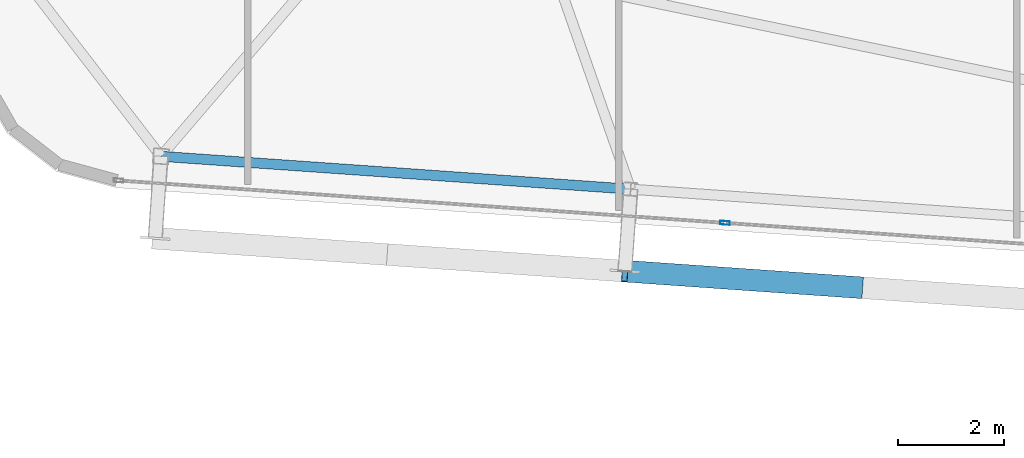
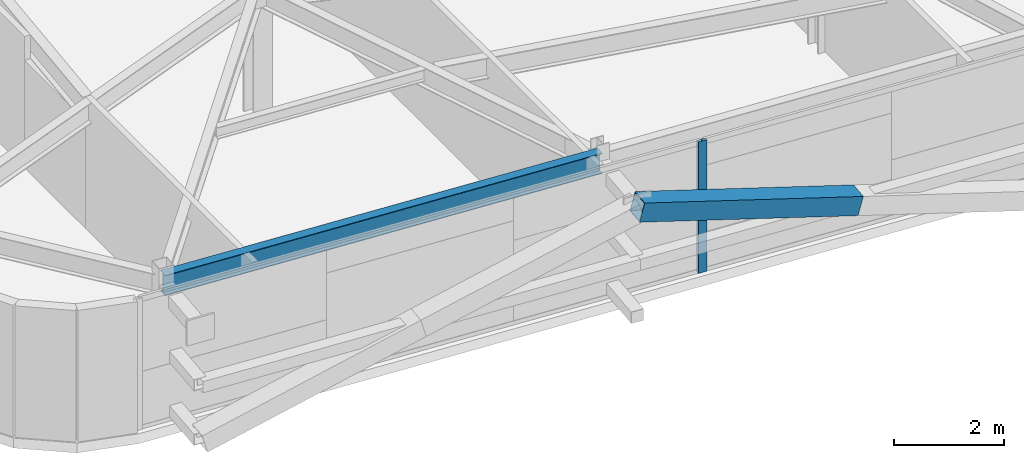
# One storey, part 7 of 39: 2 members, 1 beam, 1 element without a shape of its own.
"""IFC4 building model written with IfcOpenShell, lengths in metres."""

from ifc_helpers import new_model, si_unit, direction, frame, origin, origin_2d, place, context, subcontext, project, spatial, hollow_rectangle, i_section, extrude, source, transform, mapped, material, layer, layer_set, material_profile, profile_set, type_object, element, aggregate, save


model = new_model("IFC4")

# Units and contexts
model_context = context("Model", 3, precision=1e-05, world=origin(), true_north=direction((0.0, 1.0)))
body_context = subcontext(model_context, "Body", "Model", "MODEL_VIEW")
ifc_project = project(units=[si_unit("LENGTHUNIT", "METRE"), si_unit("AREAUNIT", "SQUARE_METRE"), si_unit("VOLUMEUNIT", "CUBIC_METRE"), si_unit("PLANEANGLEUNIT", "RADIAN"), si_unit("MASSUNIT", "GRAM", prefix="KILO")], contexts=[model_context])

# Site, building, storey
site_placement = place(None, origin())
site = spatial("IfcSite", under=ifc_project, at=site_placement, CompositionType="ELEMENT")
building_placement = place(site_placement, origin())
building = spatial("IfcBuilding", under=site, at=building_placement, Name="Taldren Reach Tower", CompositionType="ELEMENT")
storey_placement = place(building_placement, frame((0.0, 0.0, 151.89990234375)))
storey = spatial("IfcBuildingStorey", under=building, at=storey_placement, Name="L46", CompositionType="ELEMENT", Elevation=151.89990234375)

# Beam
ifc_material_1 = material(Name="Steel Gr 350 (350PLUS)", Category="steel")
ifc_material_profile_1 = material_profile(ifc_material_1, i_section(OverallWidth=0.18994140625, OverallDepth=0.4541015625, WebThickness=0.008544921875, FlangeThickness=0.0126953125, at=origin_2d()), Name="460UB67.1")
ifc_profile_set_1 = profile_set([ifc_material_profile_1], Name="Steel Gr 350 (350PLUS)")
beam_type = type_object("IfcBeamType", Name="SP-UB460B", PredefinedType="SPANDREL", material=ifc_profile_set_1)
shared_shape_1 = source(origin(), body_context, "Body", "SweptSolid", [
    extrude(i_section(OverallWidth=0.18994140625, OverallDepth=0.4541015625, WebThickness=0.008544921875, FlangeThickness=0.0126953125, at=origin_2d()), origin(), (0.0, 0.0, 1.0), 8.880126953125),
])
beam_placement = place(storey_placement, frame((11.863525390625, 5.33837890625, 2.703125), z_axis=(0.997564479639, -0.069750333063, 0.0), x_axis=(0.069750333063, 0.997564479639, 0.0)))
element("IfcBeam", 1, at=beam_placement, inside=storey, type_object=beam_type, Name="Perimeter spandrel B3 S1-S2 L46", PredefinedType="SPANDREL", context=body_context, shape_type="MappedRepresentation", body=[
    mapped(shared_shape_1, transform((0.0, 0.0, 0.0), scale=1.0)),
])

# Member
ifc_material_2 = material(Name="Steel Gr 450 (C450L0)", Category="steel")
ifc_material_profile_2 = material_profile(ifc_material_2, hollow_rectangle(XDim=0.409912109375, YDim=0.409912109375, WallThickness=0.01611328125, at=origin_2d()), Name="410x410x16.0SHS")
ifc_profile_set_2 = profile_set([ifc_material_profile_2], Name="Steel Gr 450 (C450L0)")
member_type_1 = type_object("IfcMemberType", Name="MB-EXO406", PredefinedType="BRACE", material=ifc_profile_set_2)
shared_shape_2 = source(origin(), body_context, "Body", "SweptSolid", [
    extrude(hollow_rectangle(XDim=0.409912109375, YDim=0.409912109375, WallThickness=0.01611328125, at=origin_2d()), origin(), (0.0, 0.0, 1.0), 4.603271484375),
])
member_1_placement = place(storey_placement, frame((25.04296875, 2.863037109375, 1.43505859375), z_axis=(-0.962182351074, 0.067302910567, 0.263961060594), x_axis=(-0.06977769246, -0.997562566276, 0.0)))
element("IfcMember", 2, at=member_1_placement, inside=storey, type_object=member_type_1, Name="Exoskeleton Diagrid Brace B3-S2 L46", PredefinedType="BRACE", context=body_context, shape_type="MappedRepresentation", body=[
    mapped(shared_shape_2, transform((0.0, 0.0, 0.0), scale=1.0)),
])

# Curtain wall, member
ifc_material_3 = material(Name="Aluminium and Low-E Glass Unitised System", Category="aluminium")
ifc_layer = layer(ifc_material_3, 0.159912109375)
ifc_layer_set = layer_set([ifc_layer], Name="Aluminium and Low-E Glass Unitised System")
curtain_wall_type = type_object("IfcCurtainWallType", Name="CW-SYS-4", PredefinedType="NOTDEFINED", material=ifc_layer_set)
curtain_wall_placement = place(storey_placement, origin())
curtain_wall = element("IfcCurtainWall", 3, at=curtain_wall_placement, inside=storey, type_object=curtain_wall_type, Name="Unitised curtain wall CW-L46-S", PredefinedType="NOTDEFINED")
ifc_material_4 = material(Name="Anodised Aluminium 6063-T6", Category="aluminium")
ifc_material_profile_3 = material_profile(ifc_material_4, hollow_rectangle(XDim=0.070068359375, YDim=0.179931640625, WallThickness=0.00390625, at=origin_2d()), Name="ALU-180x70x4RHS")
ifc_profile_set_3 = profile_set([ifc_material_profile_3], Name="Anodised Aluminium 6063-T6")
member_type_2 = type_object("IfcMemberType", Name="CW-MUL-180", PredefinedType="MULLION", material=ifc_profile_set_3)
shared_shape_3 = source(origin(), body_context, "Body", "SweptSolid", [
    extrude(hollow_rectangle(XDim=0.070068359375, YDim=0.179931640625, WallThickness=0.00390625, at=origin_2d()), origin(), (0.0, 0.0, 1.0), 2.93017578125),
])
member_2_placement = place(storey_placement, frame((22.501953125, 4.083251953125, 0.0), z_axis=(0.0, 0.0, 1.0), x_axis=(0.06975651593, 0.99756404731, 0.0)))
member_2 = element("IfcMember", 4, at=member_2_placement, type_object=member_type_2, Name="CW-4 mullion 2", PredefinedType="MULLION", context=body_context, shape_type="MappedRepresentation", body=[
    mapped(shared_shape_3, transform((0.0, 0.0, 0.0), scale=1.0)),
])
aggregate(curtain_wall, [member_2])

save(model, "model.ifc")
